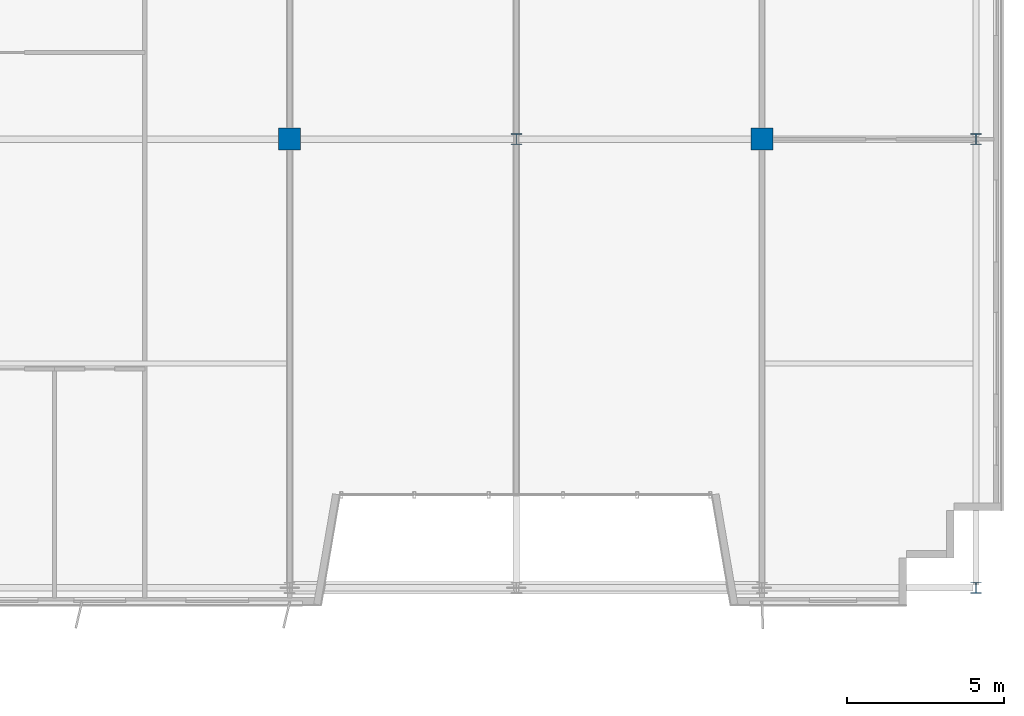
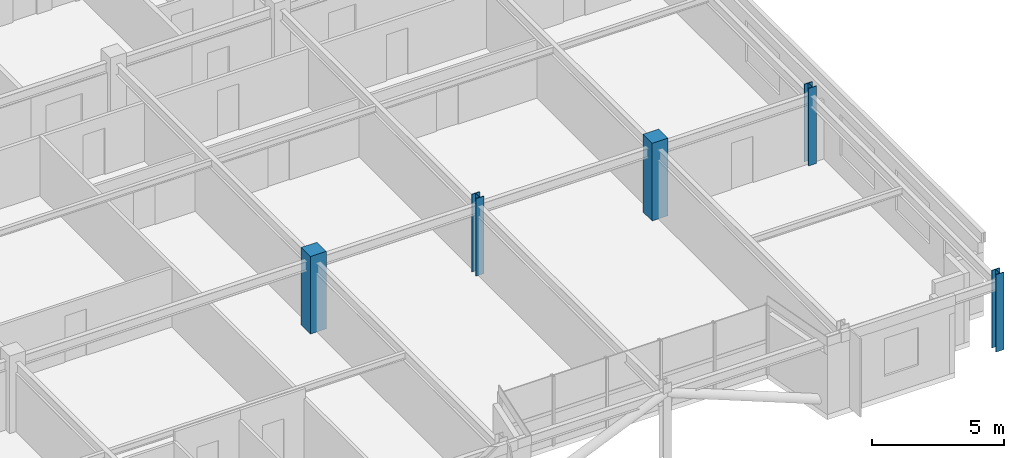
# One storey, part 2 of 27: 5 columns.
"""IFC4 building model written with IfcOpenShell, lengths in metres."""

from ifc_helpers import new_model, si_unit, direction, frame, origin, origin_2d, place, context, subcontext, project, spatial, rectangle, i_section, extrude, source, transform, mapped, material, material_profile, profile_set, type_object, element, save


model = new_model("IFC4")

# Units and contexts
model_context = context("Model", 3, precision=1e-05, world=origin(), true_north=direction((0.0, 1.0)))
body_context = subcontext(model_context, "Body", "Model", "MODEL_VIEW")
ifc_project = project(units=[si_unit("LENGTHUNIT", "METRE"), si_unit("AREAUNIT", "SQUARE_METRE"), si_unit("VOLUMEUNIT", "CUBIC_METRE"), si_unit("PLANEANGLEUNIT", "RADIAN"), si_unit("MASSUNIT", "GRAM", prefix="KILO")], contexts=[model_context])

# Site, building, storey
site_placement = place(None, origin())
site = spatial("IfcSite", under=ifc_project, at=site_placement, CompositionType="ELEMENT")
building_placement = place(site_placement, origin())
building = spatial("IfcBuilding", under=site, at=building_placement, Name="Trelvane Seafront Commons", CompositionType="ELEMENT")
storey_placement = place(building_placement, frame((0.0, 0.0, 237.300048828125)))
storey = spatial("IfcBuildingStorey", under=building, at=storey_placement, Name="L62", CompositionType="ELEMENT", Elevation=237.300048828125)

# Columns
ifc_material_1 = material(Name="Concrete C50/60", Category="concrete")
ifc_material_profile_1 = material_profile(ifc_material_1, rectangle(XDim=0.699951171875, YDim=0.699951171875, at=origin_2d()), Name="RC-700x700")
ifc_profile_set_1 = profile_set([ifc_material_profile_1], Name="Concrete C50/60")
column_type_1 = type_object("IfcColumnType", Name="STR-COL-RC700", PredefinedType="COLUMN", material=ifc_profile_set_1)
shared_shape_1 = source(origin(), body_context, "Body", "SweptSolid", [
    extrude(rectangle(XDim=0.699951171875, YDim=0.699951171875, at=origin_2d()), origin(), (0.0, 0.0, 1.0), 3.599853515625),
])
for number, where, z_axis, x_axis, name in (
    (1, (43.800048828125, 18.199951171875, 0.0), (0.0, 0.0, 1.0), (1.0, 0.0, 0.0), "L62 Column TC-M43.8"),
    (2, (58.800048828125, 18.199951171875, 0.0), (0.0, 0.0, 1.0), (1.0, 0.0, 0.0), "L62 Column TC-M58.8"),
):
    element("IfcColumn", number, at=place(storey_placement, frame(where, z_axis=z_axis, x_axis=x_axis)), inside=storey, type_object=column_type_1, Name=name, PredefinedType="COLUMN", context=body_context, shape_type="MappedRepresentation", body=[
        mapped(shared_shape_1, transform((0.0, 0.0, 0.0), x_axis=(1.0, 0.0, 0.0), y_axis=(0.0, 1.0, 0.0), z_axis=(0.0, 0.0, 1.0), scale=1.0)),
    ])
ifc_material_2 = material(Name="Steel SM355 (S355)", Category="steel")
ifc_material_profile_2 = material_profile(ifc_material_2, i_section(OverallWidth=0.35009765625, OverallDepth=0.35009765625, WebThickness=0.01806640625, FlangeThickness=0.028076171875, at=origin_2d()), Name="HD-350x350x18x28")
ifc_profile_set_2 = profile_set([ifc_material_profile_2], Name="Steel SM355 (S355)")
column_type_2 = type_object("IfcColumnType", Name="STR-COL-HD350", PredefinedType="COLUMN", material=ifc_profile_set_2)
shared_shape_2 = source(origin(), body_context, "Body", "SweptSolid", [
    extrude(i_section(OverallWidth=0.35009765625, OverallDepth=0.35009765625, WebThickness=0.01806640625, FlangeThickness=0.028076171875, at=origin_2d()), origin(), (0.0, 0.0, 1.0), 3.599853515625),
])
for number, where, z_axis, x_axis, name in (
    (3, (51.0, 18.199951171875, 0.0), (0.0, 0.0, 1.0), (1.0, 0.0, 0.0), "L62 Column TC-M51.0"),
    (4, (65.60009765625, 3.949951171875, 0.0), (0.0, 0.0, 1.0), (1.0, 0.0, 0.0), "L62 Column TC-S65.6"),
    (5, (65.60009765625, 18.199951171875, 0.0), (0.0, 0.0, 1.0), (1.0, 0.0, 0.0), "L62 Column TC-M65.6"),
):
    element("IfcColumn", number, at=place(storey_placement, frame(where, z_axis=z_axis, x_axis=x_axis)), inside=storey, type_object=column_type_2, Name=name, PredefinedType="COLUMN", context=body_context, shape_type="MappedRepresentation", body=[
        mapped(shared_shape_2, transform((0.0, 0.0, 0.0), x_axis=(1.0, 0.0, 0.0), y_axis=(0.0, 1.0, 0.0), z_axis=(0.0, 0.0, 1.0), scale=1.0)),
    ])

save(model, "model.ifc")
